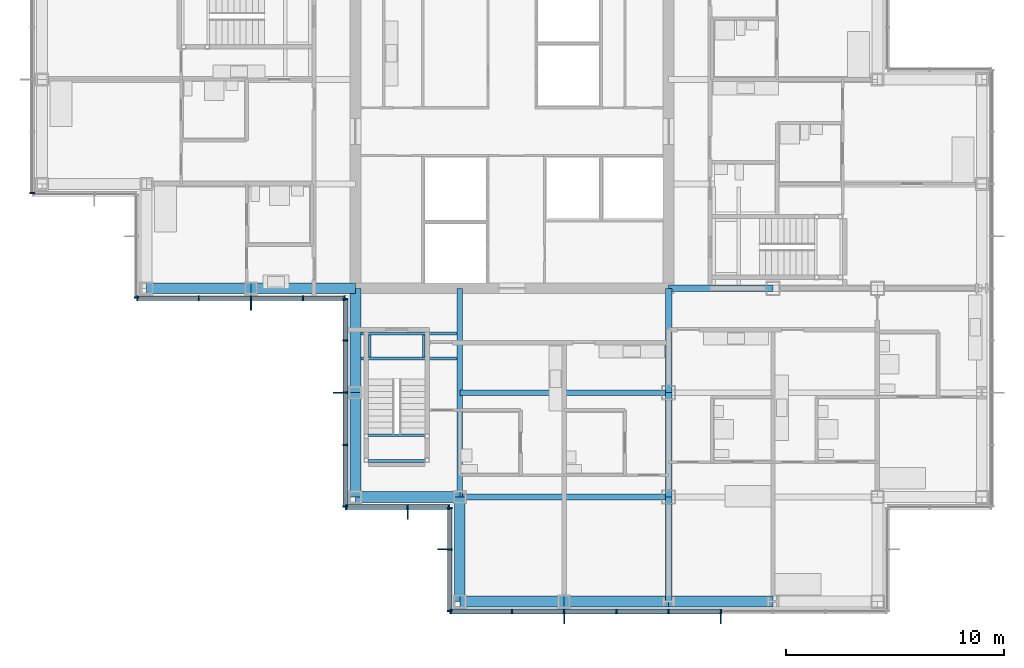
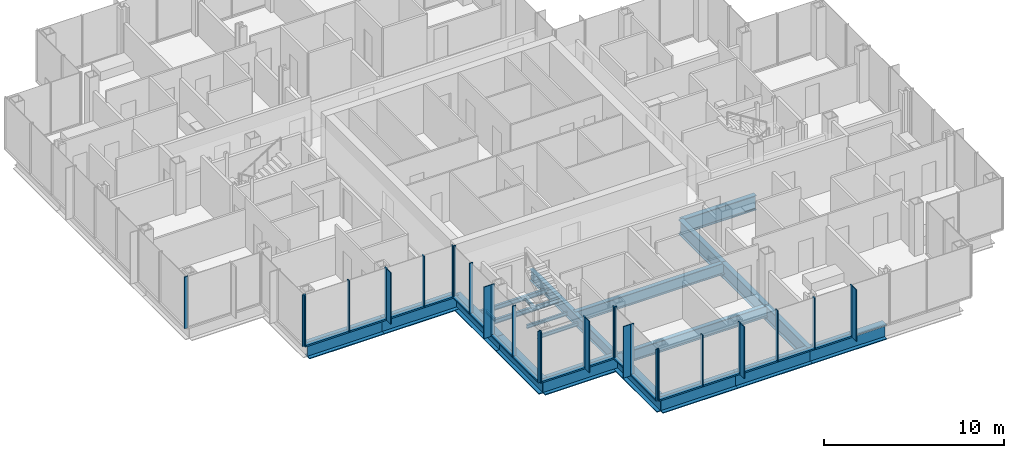
# One storey, part 6 of 19: 47 members, 22 beams, 7 elements without a shape of their own.
"""IFC4 building model written with IfcOpenShell, lengths in metres."""

from ifc_helpers import new_model, si_unit, direction, frame, origin, origin_2d, place, context, subcontext, project, spatial, rectangle, i_section, extrude, material, material_profile, profile_set, type_object, element, aggregate, save


model = new_model("IFC4")

# Units and contexts
model_context = context("Model", 3, precision=1e-05, world=origin(), true_north=direction((0.0, 1.0)))
body_context = subcontext(model_context, "Body", "Model", "MODEL_VIEW")
ifc_project = project(units=[si_unit("LENGTHUNIT", "METRE"), si_unit("AREAUNIT", "SQUARE_METRE"), si_unit("VOLUMEUNIT", "CUBIC_METRE"), si_unit("PLANEANGLEUNIT", "RADIAN"), si_unit("MASSUNIT", "GRAM", prefix="KILO")], contexts=[model_context])

# Site, building, storey
site_placement = place(None, origin())
site = spatial("IfcSite", under=ifc_project, at=site_placement, CompositionType="ELEMENT")
building_placement = place(site_placement, origin())
building = spatial("IfcBuilding", under=site, at=building_placement, Name="Kvirike Care Tower", CompositionType="ELEMENT")
storey_placement = place(building_placement, frame((0.0, 0.0, 108.5)))
storey = spatial("IfcBuildingStorey", under=building, at=storey_placement, Name="L29", CompositionType="ELEMENT", Elevation=108.5)

# Curtain wall, member
ifc_material_1 = material(Name="Anodised aluminium stick system", Category="aluminium")
curtain_wall_type = type_object("IfcCurtainWallType", Name="CW-B STICK CURTAIN WALL", PredefinedType="NOTDEFINED", material=ifc_material_1)
curtain_wall_1_placement = place(storey_placement, origin())
curtain_wall_1 = element("IfcCurtainWall", 1, at=curtain_wall_1_placement, inside=storey, type_object=curtain_wall_type, Name="Curtain wall L29 face 14", PredefinedType="NOTDEFINED")
ifc_material_2 = material(Name="Bronze anodised aluminium fin", Category="aluminium")
ifc_material_profile_1 = material_profile(ifc_material_2, rectangle(XDim=0.050048828125, YDim=0.449951171875, at=origin_2d()), Name="BRONZE FIN 450")
ifc_profile_set_1 = profile_set([ifc_material_profile_1], Name="Bronze anodised aluminium fin")
member_type_1 = type_object("IfcMemberType", Name="BRONZE FIN 450", PredefinedType="USERDEFINED", material=ifc_profile_set_1)
member_1_placement = place(storey_placement, frame((9.60009765625, 28.0048828125, 0.0), z_axis=(0.0, 0.0, 1.0), x_axis=(1.0, 0.0, 0.0)))
member_1 = element("IfcMember", 2, at=member_1_placement, type_object=member_type_1, Name="Bronze fin L29 face 14.3", ObjectType="FIN", PredefinedType="USERDEFINED", context=body_context, shape_type="SweptSolid", body=[
    extrude(rectangle(XDim=0.050048828125, YDim=0.449951171875, at=origin_2d()), origin(), (0.0, 0.0, 1.0), 3.5),
])

curtain_wall_2_placement = place(storey_placement, origin())
curtain_wall_2 = element("IfcCurtainWall", 3, at=curtain_wall_2_placement, inside=storey, type_object=curtain_wall_type, Name="Curtain wall L29 face 15", PredefinedType="NOTDEFINED")
member_2_placement = place(storey_placement, frame((13.60498046875, 24.0, 0.0), z_axis=(0.0, 0.0, 1.0), x_axis=(0.0, -1.0, 0.0)))
member_2 = element("IfcMember", 4, at=member_2_placement, type_object=member_type_1, Name="Bronze fin L29 face 15.3", ObjectType="FIN", PredefinedType="USERDEFINED", context=body_context, shape_type="SweptSolid", body=[
    extrude(rectangle(XDim=0.050048828125, YDim=0.449951171875, at=origin_2d()), origin(), (0.0, 0.0, 1.0), 3.5),
])

curtain_wall_3_placement = place(storey_placement, origin())
curtain_wall_3 = element("IfcCurtainWall", 5, at=curtain_wall_3_placement, inside=storey, type_object=curtain_wall_type, Name="Curtain wall L29 face 16", PredefinedType="NOTDEFINED")
member_3_placement = place(storey_placement, frame((16.800048828125, 18.405029296875, 0.0), z_axis=(0.0, 0.0, 1.0), x_axis=(1.0, 0.0, 0.0)))
member_3 = element("IfcMember", 6, at=member_3_placement, type_object=member_type_1, Name="Bronze fin L29 face 16.2", ObjectType="FIN", PredefinedType="USERDEFINED", context=body_context, shape_type="SweptSolid", body=[
    extrude(rectangle(XDim=0.050048828125, YDim=0.449951171875, at=origin_2d()), origin(), (0.0, 0.0, 1.0), 3.5),
])

curtain_wall_4_placement = place(storey_placement, origin())
curtain_wall_4 = element("IfcCurtainWall", 7, at=curtain_wall_4_placement, inside=storey, type_object=curtain_wall_type, Name="Curtain wall L29 face 17", PredefinedType="NOTDEFINED")
member_4_placement = place(storey_placement, frame((18.405029296875, 16.800048828125, 0.0), z_axis=(0.0, 0.0, 1.0), x_axis=(0.0, -1.0, 0.0)))
member_4 = element("IfcMember", 8, at=member_4_placement, type_object=member_type_1, Name="Bronze fin L29 face 17.2", ObjectType="FIN", PredefinedType="USERDEFINED", context=body_context, shape_type="SweptSolid", body=[
    extrude(rectangle(XDim=0.050048828125, YDim=0.449951171875, at=origin_2d()), origin(), (0.0, 0.0, 1.0), 3.5),
])

# Curtain wall, members
curtain_wall_5_placement = place(storey_placement, origin())
curtain_wall_5 = element("IfcCurtainWall", 9, at=curtain_wall_5_placement, inside=storey, type_object=curtain_wall_type, Name="Curtain wall L29 face 18", PredefinedType="NOTDEFINED")
member_5_placement = place(storey_placement, frame((24.0, 13.60498046875, 0.0), z_axis=(0.0, 0.0, 1.0), x_axis=(1.0, 0.0, 0.0)))
member_5 = element("IfcMember", 10, at=member_5_placement, type_object=member_type_1, Name="Bronze fin L29 face 18.3", ObjectType="FIN", PredefinedType="USERDEFINED", context=body_context, shape_type="SweptSolid", body=[
    extrude(rectangle(XDim=0.050048828125, YDim=0.449951171875, at=origin_2d()), origin(), (0.0, 0.0, 1.0), 3.5),
])
member_6_placement = place(storey_placement, frame((31.199951171875, 13.60498046875, 0.0), z_axis=(0.0, 0.0, 1.0), x_axis=(1.0, 0.0, 0.0)))
member_6 = element("IfcMember", 11, at=member_6_placement, type_object=member_type_1, Name="Bronze fin L29 face 18.6", ObjectType="FIN", PredefinedType="USERDEFINED", context=body_context, shape_type="SweptSolid", body=[
    extrude(rectangle(XDim=0.050048828125, YDim=0.449951171875, at=origin_2d()), origin(), (0.0, 0.0, 1.0), 3.5),
])

# Curtain wall, member
curtain_wall_6_placement = place(storey_placement, origin())
curtain_wall_6 = element("IfcCurtainWall", 12, at=curtain_wall_6_placement, inside=storey, type_object=curtain_wall_type, Name="Curtain wall L29 face 11", PredefinedType="NOTDEFINED")
ifc_material_3 = material(Name="Bronze anodised aluminium mullion", Category="aluminium")
ifc_material_profile_2 = material_profile(ifc_material_3, rectangle(XDim=0.06494140625, YDim=0.219970703125, at=origin_2d()), Name="CW-B MULLION 65x220")
ifc_profile_set_2 = profile_set([ifc_material_profile_2], Name="Bronze anodised aluminium mullion")
member_type_2 = type_object("IfcMemberType", Name="CW-B MULLION 65x220", PredefinedType="MULLION", material=ifc_profile_set_2)
member_7_placement = place(storey_placement, frame((-0.4599609375, 33.172607421875, 0.0), z_axis=(0.0, 0.0, 1.0), x_axis=(0.0, -1.0, 0.0)))
member_7 = element("IfcMember", 13, at=member_7_placement, type_object=member_type_2, Name="CW-B mullion L29 face 11.9", PredefinedType="MULLION", context=body_context, shape_type="SweptSolid", body=[
    extrude(rectangle(XDim=0.06494140625, YDim=0.219970703125, at=origin_2d()), origin(), (0.0, 0.0, 1.0), 3.5),
])
aggregate(curtain_wall_6, [member_7])

curtain_wall_7_placement = place(storey_placement, origin())
curtain_wall_7 = element("IfcCurtainWall", 14, at=curtain_wall_7_placement, inside=storey, type_object=curtain_wall_type, Name="Curtain wall L29 face 13", PredefinedType="NOTDEFINED")
member_8_placement = place(storey_placement, frame((4.340087890625, 28.37255859375, 0.0), z_axis=(0.0, 0.0, 1.0), x_axis=(0.0, -1.0, 0.0)))
member_8 = element("IfcMember", 15, at=member_8_placement, type_object=member_type_2, Name="CW-B mullion L29 face 13.3", PredefinedType="MULLION", context=body_context, shape_type="SweptSolid", body=[
    extrude(rectangle(XDim=0.06494140625, YDim=0.219970703125, at=origin_2d()), origin(), (0.0, 0.0, 1.0), 3.5),
])
aggregate(curtain_wall_7, [member_8])

# Member
member_9_placement = place(storey_placement, frame((4.37255859375, 28.340087890625, 0.0), z_axis=(0.0, 0.0, 1.0), x_axis=(1.0, 0.0, 0.0)))
member_9 = element("IfcMember", 16, at=member_9_placement, type_object=member_type_2, Name="CW-B mullion L29 face 14.1", PredefinedType="MULLION", context=body_context, shape_type="SweptSolid", body=[
    extrude(rectangle(XDim=0.06494140625, YDim=0.219970703125, at=origin_2d()), origin(), (0.0, 0.0, 1.0), 3.5),
])

member_10_placement = place(storey_placement, frame((7.199951171875, 28.340087890625, 0.0), z_axis=(0.0, 0.0, 1.0), x_axis=(1.0, 0.0, 0.0)))
member_10 = element("IfcMember", 17, at=member_10_placement, type_object=member_type_2, Name="CW-B mullion L29 face 14.2", PredefinedType="MULLION", context=body_context, shape_type="SweptSolid", body=[
    extrude(rectangle(XDim=0.06494140625, YDim=0.219970703125, at=origin_2d()), origin(), (0.0, 0.0, 1.0), 3.5),
])

member_11_placement = place(storey_placement, frame((9.60009765625, 28.340087890625, 0.0), z_axis=(0.0, 0.0, 1.0), x_axis=(1.0, 0.0, 0.0)))
member_11 = element("IfcMember", 18, at=member_11_placement, type_object=member_type_2, Name="CW-B mullion L29 face 14.3", PredefinedType="MULLION", context=body_context, shape_type="SweptSolid", body=[
    extrude(rectangle(XDim=0.06494140625, YDim=0.219970703125, at=origin_2d()), origin(), (0.0, 0.0, 1.0), 3.5),
])

member_12_placement = place(storey_placement, frame((12.0, 28.340087890625, 0.0), z_axis=(0.0, 0.0, 1.0), x_axis=(1.0, 0.0, 0.0)))
member_12 = element("IfcMember", 19, at=member_12_placement, type_object=member_type_2, Name="CW-B mullion L29 face 14.4", PredefinedType="MULLION", context=body_context, shape_type="SweptSolid", body=[
    extrude(rectangle(XDim=0.06494140625, YDim=0.219970703125, at=origin_2d()), origin(), (0.0, 0.0, 1.0), 3.5),
])

member_13_placement = place(storey_placement, frame((13.907470703125, 28.340087890625, 0.0), z_axis=(0.0, 0.0, 1.0), x_axis=(1.0, 0.0, 0.0)))
member_13 = element("IfcMember", 20, at=member_13_placement, type_object=member_type_2, Name="CW-B mullion L29 face 14.5", PredefinedType="MULLION", context=body_context, shape_type="SweptSolid", body=[
    extrude(rectangle(XDim=0.06494140625, YDim=0.219970703125, at=origin_2d()), origin(), (0.0, 0.0, 1.0), 3.5),
])

member_14_placement = place(storey_placement, frame((13.93994140625, 28.3076171875, 0.0), z_axis=(0.0, 0.0, 1.0), x_axis=(0.0, -1.0, 0.0)))
member_14 = element("IfcMember", 21, at=member_14_placement, type_object=member_type_2, Name="CW-B mullion L29 face 15.1", PredefinedType="MULLION", context=body_context, shape_type="SweptSolid", body=[
    extrude(rectangle(XDim=0.06494140625, YDim=0.219970703125, at=origin_2d()), origin(), (0.0, 0.0, 1.0), 3.5),
])

member_15_placement = place(storey_placement, frame((13.93994140625, 26.39990234375, 0.0), z_axis=(0.0, 0.0, 1.0), x_axis=(0.0, -1.0, 0.0)))
member_15 = element("IfcMember", 22, at=member_15_placement, type_object=member_type_2, Name="CW-B mullion L29 face 15.2", PredefinedType="MULLION", context=body_context, shape_type="SweptSolid", body=[
    extrude(rectangle(XDim=0.06494140625, YDim=0.219970703125, at=origin_2d()), origin(), (0.0, 0.0, 1.0), 3.5),
])

member_16_placement = place(storey_placement, frame((13.93994140625, 24.0, 0.0), z_axis=(0.0, 0.0, 1.0), x_axis=(0.0, -1.0, 0.0)))
member_16 = element("IfcMember", 23, at=member_16_placement, type_object=member_type_2, Name="CW-B mullion L29 face 15.3", PredefinedType="MULLION", context=body_context, shape_type="SweptSolid", body=[
    extrude(rectangle(XDim=0.06494140625, YDim=0.219970703125, at=origin_2d()), origin(), (0.0, 0.0, 1.0), 3.5),
])

member_17_placement = place(storey_placement, frame((13.93994140625, 21.60009765625, 0.0), z_axis=(0.0, 0.0, 1.0), x_axis=(0.0, -1.0, 0.0)))
member_17 = element("IfcMember", 24, at=member_17_placement, type_object=member_type_2, Name="CW-B mullion L29 face 15.4", PredefinedType="MULLION", context=body_context, shape_type="SweptSolid", body=[
    extrude(rectangle(XDim=0.06494140625, YDim=0.219970703125, at=origin_2d()), origin(), (0.0, 0.0, 1.0), 3.5),
])

member_18_placement = place(storey_placement, frame((13.93994140625, 18.7724609375, 0.0), z_axis=(0.0, 0.0, 1.0), x_axis=(0.0, -1.0, 0.0)))
member_18 = element("IfcMember", 25, at=member_18_placement, type_object=member_type_2, Name="CW-B mullion L29 face 15.5", PredefinedType="MULLION", context=body_context, shape_type="SweptSolid", body=[
    extrude(rectangle(XDim=0.06494140625, YDim=0.219970703125, at=origin_2d()), origin(), (0.0, 0.0, 1.0), 3.5),
])

member_19_placement = place(storey_placement, frame((13.972412109375, 18.739990234375, 0.0), z_axis=(0.0, 0.0, 1.0), x_axis=(1.0, 0.0, 0.0)))
member_19 = element("IfcMember", 26, at=member_19_placement, type_object=member_type_2, Name="CW-B mullion L29 face 16.1", PredefinedType="MULLION", context=body_context, shape_type="SweptSolid", body=[
    extrude(rectangle(XDim=0.06494140625, YDim=0.219970703125, at=origin_2d()), origin(), (0.0, 0.0, 1.0), 3.5),
])

member_20_placement = place(storey_placement, frame((16.800048828125, 18.739990234375, 0.0), z_axis=(0.0, 0.0, 1.0), x_axis=(1.0, 0.0, 0.0)))
member_20 = element("IfcMember", 27, at=member_20_placement, type_object=member_type_2, Name="CW-B mullion L29 face 16.2", PredefinedType="MULLION", context=body_context, shape_type="SweptSolid", body=[
    extrude(rectangle(XDim=0.06494140625, YDim=0.219970703125, at=origin_2d()), origin(), (0.0, 0.0, 1.0), 3.5),
])

member_21_placement = place(storey_placement, frame((18.70751953125, 18.739990234375, 0.0), z_axis=(0.0, 0.0, 1.0), x_axis=(1.0, 0.0, 0.0)))
member_21 = element("IfcMember", 28, at=member_21_placement, type_object=member_type_2, Name="CW-B mullion L29 face 16.3", PredefinedType="MULLION", context=body_context, shape_type="SweptSolid", body=[
    extrude(rectangle(XDim=0.06494140625, YDim=0.219970703125, at=origin_2d()), origin(), (0.0, 0.0, 1.0), 3.5),
])

member_22_placement = place(storey_placement, frame((18.739990234375, 18.70751953125, 0.0), z_axis=(0.0, 0.0, 1.0), x_axis=(0.0, -1.0, 0.0)))
member_22 = element("IfcMember", 29, at=member_22_placement, type_object=member_type_2, Name="CW-B mullion L29 face 17.1", PredefinedType="MULLION", context=body_context, shape_type="SweptSolid", body=[
    extrude(rectangle(XDim=0.06494140625, YDim=0.219970703125, at=origin_2d()), origin(), (0.0, 0.0, 1.0), 3.5),
])

member_23_placement = place(storey_placement, frame((18.739990234375, 16.800048828125, 0.0), z_axis=(0.0, 0.0, 1.0), x_axis=(0.0, -1.0, 0.0)))
member_23 = element("IfcMember", 30, at=member_23_placement, type_object=member_type_2, Name="CW-B mullion L29 face 17.2", PredefinedType="MULLION", context=body_context, shape_type="SweptSolid", body=[
    extrude(rectangle(XDim=0.06494140625, YDim=0.219970703125, at=origin_2d()), origin(), (0.0, 0.0, 1.0), 3.5),
])

member_24_placement = place(storey_placement, frame((18.739990234375, 13.972412109375, 0.0), z_axis=(0.0, 0.0, 1.0), x_axis=(0.0, -1.0, 0.0)))
member_24 = element("IfcMember", 31, at=member_24_placement, type_object=member_type_2, Name="CW-B mullion L29 face 17.3", PredefinedType="MULLION", context=body_context, shape_type="SweptSolid", body=[
    extrude(rectangle(XDim=0.06494140625, YDim=0.219970703125, at=origin_2d()), origin(), (0.0, 0.0, 1.0), 3.5),
])

member_25_placement = place(storey_placement, frame((18.7724609375, 13.93994140625, 0.0), z_axis=(0.0, 0.0, 1.0), x_axis=(1.0, 0.0, 0.0)))
member_25 = element("IfcMember", 32, at=member_25_placement, type_object=member_type_2, Name="CW-B mullion L29 face 18.1", PredefinedType="MULLION", context=body_context, shape_type="SweptSolid", body=[
    extrude(rectangle(XDim=0.06494140625, YDim=0.219970703125, at=origin_2d()), origin(), (0.0, 0.0, 1.0), 3.5),
])

member_26_placement = place(storey_placement, frame((21.60009765625, 13.93994140625, 0.0), z_axis=(0.0, 0.0, 1.0), x_axis=(1.0, 0.0, 0.0)))
member_26 = element("IfcMember", 33, at=member_26_placement, type_object=member_type_2, Name="CW-B mullion L29 face 18.2", PredefinedType="MULLION", context=body_context, shape_type="SweptSolid", body=[
    extrude(rectangle(XDim=0.06494140625, YDim=0.219970703125, at=origin_2d()), origin(), (0.0, 0.0, 1.0), 3.5),
])

member_27_placement = place(storey_placement, frame((24.0, 13.93994140625, 0.0), z_axis=(0.0, 0.0, 1.0), x_axis=(1.0, 0.0, 0.0)))
member_27 = element("IfcMember", 34, at=member_27_placement, type_object=member_type_2, Name="CW-B mullion L29 face 18.3", PredefinedType="MULLION", context=body_context, shape_type="SweptSolid", body=[
    extrude(rectangle(XDim=0.06494140625, YDim=0.219970703125, at=origin_2d()), origin(), (0.0, 0.0, 1.0), 3.5),
])

member_28_placement = place(storey_placement, frame((26.39990234375, 13.93994140625, 0.0), z_axis=(0.0, 0.0, 1.0), x_axis=(1.0, 0.0, 0.0)))
member_28 = element("IfcMember", 35, at=member_28_placement, type_object=member_type_2, Name="CW-B mullion L29 face 18.4", PredefinedType="MULLION", context=body_context, shape_type="SweptSolid", body=[
    extrude(rectangle(XDim=0.06494140625, YDim=0.219970703125, at=origin_2d()), origin(), (0.0, 0.0, 1.0), 3.5),
])

member_29_placement = place(storey_placement, frame((28.800048828125, 13.93994140625, 0.0), z_axis=(0.0, 0.0, 1.0), x_axis=(1.0, 0.0, 0.0)))
member_29 = element("IfcMember", 36, at=member_29_placement, type_object=member_type_2, Name="CW-B mullion L29 face 18.5", PredefinedType="MULLION", context=body_context, shape_type="SweptSolid", body=[
    extrude(rectangle(XDim=0.06494140625, YDim=0.219970703125, at=origin_2d()), origin(), (0.0, 0.0, 1.0), 3.5),
])

member_30_placement = place(storey_placement, frame((31.199951171875, 13.93994140625, 0.0), z_axis=(0.0, 0.0, 1.0), x_axis=(1.0, 0.0, 0.0)))
member_30 = element("IfcMember", 37, at=member_30_placement, type_object=member_type_2, Name="CW-B mullion L29 face 18.6", PredefinedType="MULLION", context=body_context, shape_type="SweptSolid", body=[
    extrude(rectangle(XDim=0.06494140625, YDim=0.219970703125, at=origin_2d()), origin(), (0.0, 0.0, 1.0), 3.5),
])

ifc_material_4 = material(Name="Bronze anodised aluminium transom", Category="aluminium")
ifc_material_profile_3 = material_profile(ifc_material_4, rectangle(XDim=0.219970703125, YDim=0.10009765625, at=origin_2d()), Name="CW-B TRANSOM 220x100")
ifc_profile_set_3 = profile_set([ifc_material_profile_3], Name="Bronze anodised aluminium transom")
member_type_3 = type_object("IfcMemberType", Name="CW-B TRANSOM 220x100", PredefinedType="USERDEFINED", material=ifc_profile_set_3)
member_31_placement = place(storey_placement, frame((4.405029296875, 28.340087890625, 0.050048828125), z_axis=(1.0, 0.0, 0.0), x_axis=(0.0, 1.0, 0.0)))
member_31 = element("IfcMember", 38, at=member_31_placement, type_object=member_type_3, Name="CW-B sill transom L29 face 14.1", ObjectType="TRANSOM", PredefinedType="USERDEFINED", context=body_context, shape_type="SweptSolid", body=[
    extrude(rectangle(XDim=0.219970703125, YDim=0.10009765625, at=origin_2d()), origin(), (0.0, 0.0, 1.0), 2.762451171875),
])

member_32_placement = place(storey_placement, frame((7.232421875, 28.340087890625, 0.050048828125), z_axis=(1.0, 0.0, 0.0), x_axis=(0.0, 1.0, 0.0)))
member_32 = element("IfcMember", 39, at=member_32_placement, type_object=member_type_3, Name="CW-B sill transom L29 face 14.2", ObjectType="TRANSOM", PredefinedType="USERDEFINED", context=body_context, shape_type="SweptSolid", body=[
    extrude(rectangle(XDim=0.219970703125, YDim=0.10009765625, at=origin_2d()), origin(), (0.0, 0.0, 1.0), 2.3349609375),
])

member_33_placement = place(storey_placement, frame((9.632568359375, 28.340087890625, 0.050048828125), z_axis=(1.0, 0.0, 0.0), x_axis=(0.0, 1.0, 0.0)))
member_33 = element("IfcMember", 40, at=member_33_placement, type_object=member_type_3, Name="CW-B sill transom L29 face 14.3", ObjectType="TRANSOM", PredefinedType="USERDEFINED", context=body_context, shape_type="SweptSolid", body=[
    extrude(rectangle(XDim=0.219970703125, YDim=0.10009765625, at=origin_2d()), origin(), (0.0, 0.0, 1.0), 2.3349609375),
])

member_34_placement = place(storey_placement, frame((12.032470703125, 28.340087890625, 0.050048828125), z_axis=(1.0, 0.0, 0.0), x_axis=(0.0, 1.0, 0.0)))
member_34 = element("IfcMember", 41, at=member_34_placement, type_object=member_type_3, Name="CW-B sill transom L29 face 14.4", ObjectType="TRANSOM", PredefinedType="USERDEFINED", context=body_context, shape_type="SweptSolid", body=[
    extrude(rectangle(XDim=0.219970703125, YDim=0.10009765625, at=origin_2d()), origin(), (0.0, 0.0, 1.0), 1.842529296875),
])

aggregate(curtain_wall_1, [member_9, member_10, member_11, member_1, member_12, member_13, member_31, member_32, member_33, member_34])

member_35_placement = place(storey_placement, frame((13.93994140625, 28.27490234375, 0.050048828125), z_axis=(0.0, -1.0, 0.0), x_axis=(1.0, 0.0, 0.0)))
member_35 = element("IfcMember", 42, at=member_35_placement, type_object=member_type_3, Name="CW-B sill transom L29 face 15.1", ObjectType="TRANSOM", PredefinedType="USERDEFINED", context=body_context, shape_type="SweptSolid", body=[
    extrude(rectangle(XDim=0.219970703125, YDim=0.10009765625, at=origin_2d()), origin(), (0.0, 0.0, 1.0), 1.84228515625),
])

member_36_placement = place(storey_placement, frame((13.93994140625, 26.367431640625, 0.050048828125), z_axis=(0.0, -1.0, 0.0), x_axis=(1.0, 0.0, 0.0)))
member_36 = element("IfcMember", 43, at=member_36_placement, type_object=member_type_3, Name="CW-B sill transom L29 face 15.2", ObjectType="TRANSOM", PredefinedType="USERDEFINED", context=body_context, shape_type="SweptSolid", body=[
    extrude(rectangle(XDim=0.219970703125, YDim=0.10009765625, at=origin_2d()), origin(), (0.0, 0.0, 1.0), 2.3349609375),
])

member_37_placement = place(storey_placement, frame((13.93994140625, 23.967529296875, 0.050048828125), z_axis=(0.0, -1.0, 0.0), x_axis=(1.0, 0.0, 0.0)))
member_37 = element("IfcMember", 44, at=member_37_placement, type_object=member_type_3, Name="CW-B sill transom L29 face 15.3", ObjectType="TRANSOM", PredefinedType="USERDEFINED", context=body_context, shape_type="SweptSolid", body=[
    extrude(rectangle(XDim=0.219970703125, YDim=0.10009765625, at=origin_2d()), origin(), (0.0, 0.0, 1.0), 2.3349609375),
])

member_38_placement = place(storey_placement, frame((13.93994140625, 21.5673828125, 0.050048828125), z_axis=(0.0, -1.0, 0.0), x_axis=(1.0, 0.0, 0.0)))
member_38 = element("IfcMember", 45, at=member_38_placement, type_object=member_type_3, Name="CW-B sill transom L29 face 15.4", ObjectType="TRANSOM", PredefinedType="USERDEFINED", context=body_context, shape_type="SweptSolid", body=[
    extrude(rectangle(XDim=0.219970703125, YDim=0.10009765625, at=origin_2d()), origin(), (0.0, 0.0, 1.0), 2.762451171875),
])

aggregate(curtain_wall_2, [member_14, member_15, member_16, member_2, member_17, member_18, member_35, member_36, member_37, member_38])

member_39_placement = place(storey_placement, frame((14.0048828125, 18.739990234375, 0.050048828125), z_axis=(1.0, 0.0, 0.0), x_axis=(0.0, 1.0, 0.0)))
member_39 = element("IfcMember", 46, at=member_39_placement, type_object=member_type_3, Name="CW-B sill transom L29 face 16.1", ObjectType="TRANSOM", PredefinedType="USERDEFINED", context=body_context, shape_type="SweptSolid", body=[
    extrude(rectangle(XDim=0.219970703125, YDim=0.10009765625, at=origin_2d()), origin(), (0.0, 0.0, 1.0), 2.7626953125),
])

member_40_placement = place(storey_placement, frame((16.83251953125, 18.739990234375, 0.050048828125), z_axis=(1.0, 0.0, 0.0), x_axis=(0.0, 1.0, 0.0)))
member_40 = element("IfcMember", 47, at=member_40_placement, type_object=member_type_3, Name="CW-B sill transom L29 face 16.2", ObjectType="TRANSOM", PredefinedType="USERDEFINED", context=body_context, shape_type="SweptSolid", body=[
    extrude(rectangle(XDim=0.219970703125, YDim=0.10009765625, at=origin_2d()), origin(), (0.0, 0.0, 1.0), 1.842529296875),
])

aggregate(curtain_wall_3, [member_19, member_20, member_3, member_21, member_39, member_40])

member_41_placement = place(storey_placement, frame((18.739990234375, 18.675048828125, 0.050048828125), z_axis=(0.0, -1.0, 0.0), x_axis=(1.0, 0.0, 0.0)))
member_41 = element("IfcMember", 48, at=member_41_placement, type_object=member_type_3, Name="CW-B sill transom L29 face 17.1", ObjectType="TRANSOM", PredefinedType="USERDEFINED", context=body_context, shape_type="SweptSolid", body=[
    extrude(rectangle(XDim=0.219970703125, YDim=0.10009765625, at=origin_2d()), origin(), (0.0, 0.0, 1.0), 1.842529296875),
])

member_42_placement = place(storey_placement, frame((18.739990234375, 16.767578125, 0.050048828125), z_axis=(0.0, -1.0, 0.0), x_axis=(1.0, 0.0, 0.0)))
member_42 = element("IfcMember", 49, at=member_42_placement, type_object=member_type_3, Name="CW-B sill transom L29 face 17.2", ObjectType="TRANSOM", PredefinedType="USERDEFINED", context=body_context, shape_type="SweptSolid", body=[
    extrude(rectangle(XDim=0.219970703125, YDim=0.10009765625, at=origin_2d()), origin(), (0.0, 0.0, 1.0), 2.7626953125),
])

aggregate(curtain_wall_4, [member_22, member_23, member_4, member_24, member_41, member_42])

member_43_placement = place(storey_placement, frame((18.804931640625, 13.93994140625, 0.050048828125), z_axis=(1.0, 0.0, 0.0), x_axis=(0.0, 1.0, 0.0)))
member_43 = element("IfcMember", 50, at=member_43_placement, type_object=member_type_3, Name="CW-B sill transom L29 face 18.1", ObjectType="TRANSOM", PredefinedType="USERDEFINED", context=body_context, shape_type="SweptSolid", body=[
    extrude(rectangle(XDim=0.219970703125, YDim=0.10009765625, at=origin_2d()), origin(), (0.0, 0.0, 1.0), 2.762451171875),
])

member_44_placement = place(storey_placement, frame((21.632568359375, 13.93994140625, 0.050048828125), z_axis=(1.0, 0.0, 0.0), x_axis=(0.0, 1.0, 0.0)))
member_44 = element("IfcMember", 51, at=member_44_placement, type_object=member_type_3, Name="CW-B sill transom L29 face 18.2", ObjectType="TRANSOM", PredefinedType="USERDEFINED", context=body_context, shape_type="SweptSolid", body=[
    extrude(rectangle(XDim=0.219970703125, YDim=0.10009765625, at=origin_2d()), origin(), (0.0, 0.0, 1.0), 2.3349609375),
])

member_45_placement = place(storey_placement, frame((24.032470703125, 13.93994140625, 0.050048828125), z_axis=(1.0, 0.0, 0.0), x_axis=(0.0, 1.0, 0.0)))
member_45 = element("IfcMember", 52, at=member_45_placement, type_object=member_type_3, Name="CW-B sill transom L29 face 18.3", ObjectType="TRANSOM", PredefinedType="USERDEFINED", context=body_context, shape_type="SweptSolid", body=[
    extrude(rectangle(XDim=0.219970703125, YDim=0.10009765625, at=origin_2d()), origin(), (0.0, 0.0, 1.0), 2.3349609375),
])

member_46_placement = place(storey_placement, frame((26.4326171875, 13.93994140625, 0.050048828125), z_axis=(1.0, 0.0, 0.0), x_axis=(0.0, 1.0, 0.0)))
member_46 = element("IfcMember", 53, at=member_46_placement, type_object=member_type_3, Name="CW-B sill transom L29 face 18.4", ObjectType="TRANSOM", PredefinedType="USERDEFINED", context=body_context, shape_type="SweptSolid", body=[
    extrude(rectangle(XDim=0.219970703125, YDim=0.10009765625, at=origin_2d()), origin(), (0.0, 0.0, 1.0), 2.3349609375),
])

member_47_placement = place(storey_placement, frame((28.83251953125, 13.93994140625, 0.050048828125), z_axis=(1.0, 0.0, 0.0), x_axis=(0.0, 1.0, 0.0)))
member_47 = element("IfcMember", 54, at=member_47_placement, type_object=member_type_3, Name="CW-B sill transom L29 face 18.5", ObjectType="TRANSOM", PredefinedType="USERDEFINED", context=body_context, shape_type="SweptSolid", body=[
    extrude(rectangle(XDim=0.219970703125, YDim=0.10009765625, at=origin_2d()), origin(), (0.0, 0.0, 1.0), 2.3349609375),
])

aggregate(curtain_wall_5, [member_25, member_26, member_27, member_5, member_28, member_29, member_30, member_6, member_43, member_44, member_45, member_46, member_47])

# Beams
ifc_material_5 = material(Name="Steel S355", Category="steel")
ifc_material_profile_4 = material_profile(ifc_material_5, i_section(OverallWidth=0.26806640625, OverallDepth=0.77001953125, WebThickness=0.015625, FlangeThickness=0.025390625, FilletRadius=0.01708984375, at=origin_2d()), Name="IPE 750x196")
ifc_profile_set_4 = profile_set([ifc_material_profile_4], Name="Steel S355")
beam_type_1 = type_object("IfcBeamType", Name="FLOOR BEAM IPE 750x196", PredefinedType="BEAM", material=ifc_profile_set_4)
for number, where, z_axis, x_axis, name in (
    (55, (19.199951171875, 19.199951171875, -0.554931640625), (1.0, 0.0, 0.0), (0.0, 1.0, 0.0), "Floor Beam E7-E9 L29"),
    (56, (19.199951171875, 24.0, -0.554931640625), (1.0, 0.0, 0.0), (0.0, 1.0, 0.0), "Floor Beam F7-F9 L29"),
    (57, (19.199951171875, 19.199951171875, -0.554931640625), (0.0, 1.0, 0.0), (-1.0, 0.0, 0.0), "Floor Beam E7-G7 L29"),
):
    element("IfcBeam", number, at=place(storey_placement, frame(where, z_axis=z_axis, x_axis=x_axis)), inside=storey, type_object=beam_type_1, Name=name, PredefinedType="BEAM", context=body_context, shape_type="SweptSolid", body=[
        extrude(i_section(OverallWidth=0.26806640625, OverallDepth=0.77001953125, WebThickness=0.015625, FlangeThickness=0.025390625, FilletRadius=0.01708984375, at=origin_2d()), origin(), (0.0, 0.0, 1.0), 9.60009765625),
    ])
ifc_material_6 = material(Name="Steel S355", Category="steel")
ifc_material_profile_5 = material_profile(ifc_material_6, i_section(OverallWidth=0.300048828125, OverallDepth=1.0, WebThickness=0.01904296875, FlangeThickness=0.035888671875, FilletRadius=0.030029296875, at=origin_2d()), Name="HE 1000 B")
ifc_profile_set_5 = profile_set([ifc_material_profile_5], Name="Steel S355")
beam_type_2 = type_object("IfcBeamType", Name="FRAME BEAM HE 1000 B", PredefinedType="BEAM", material=ifc_profile_set_5)
for number, where, z_axis, x_axis, name in (
    (58, (28.800048828125, 28.800048828125, -0.669921875), (1.0, 0.0, 0.0), (0.0, 1.0, 0.0), "Frame Beam G9-G10 L29"),
    (59, (28.800048828125, 14.39990234375, -0.669921875), (0.0, 1.0, 0.0), (-1.0, 0.0, 0.0), "Frame Beam D9-E9 L29"),
    (60, (28.800048828125, 19.199951171875, -0.669921875), (0.0, 1.0, 0.0), (-1.0, 0.0, 0.0), "Frame Beam E9-F9 L29"),
    (61, (28.800048828125, 24.0, -0.669921875), (0.0, 1.0, 0.0), (-1.0, 0.0, 0.0), "Frame Beam F9-G9 L29"),
):
    element("IfcBeam", number, at=place(storey_placement, frame(where, z_axis=z_axis, x_axis=x_axis)), inside=storey, type_object=beam_type_2, Name=name, PredefinedType="BEAM", context=body_context, shape_type="SweptSolid", body=[
        extrude(i_section(OverallWidth=0.300048828125, OverallDepth=1.0, WebThickness=0.01904296875, FlangeThickness=0.035888671875, FilletRadius=0.030029296875, at=origin_2d()), origin(), (0.0, 0.0, 1.0), 4.800048828125),
    ])
ifc_material_7 = material(Name="Steel S355", Category="steel")
ifc_material_profile_6 = material_profile(ifc_material_7, i_section(OverallWidth=0.5, OverallDepth=1.0, WebThickness=0.030029296875, FlangeThickness=0.06005859375, at=origin_2d()), Name="PG 1000x500x30x60")
ifc_profile_set_6 = profile_set([ifc_material_profile_6], Name="Steel S355")
beam_type_3 = type_object("IfcBeamType", Name="SPANDREL PG 1000x500x30x60", PredefinedType="SPANDREL", material=ifc_profile_set_6)
for number, where, z_axis, x_axis, name in (
    (62, (19.199951171875, 14.39990234375, -0.669921875), (1.0, 0.0, 0.0), (0.0, 1.0, 0.0), "Spandrel D7-D8 L29"),
    (63, (24.0, 14.39990234375, -0.669921875), (1.0, 0.0, 0.0), (0.0, 1.0, 0.0), "Spandrel D8-D9 L29"),
    (64, (28.800048828125, 14.39990234375, -0.669921875), (1.0, 0.0, 0.0), (0.0, 1.0, 0.0), "Spandrel D9-D10 L29"),
    (65, (14.39990234375, 19.199951171875, -0.669921875), (1.0, 0.0, 0.0), (0.0, 1.0, 0.0), "Spandrel E6-E7 L29"),
    (66, (4.800048828125, 28.800048828125, -0.669921875), (1.0, 0.0, 0.0), (0.0, 1.0, 0.0), "Spandrel G4-G5 L29"),
):
    element("IfcBeam", number, at=place(storey_placement, frame(where, z_axis=z_axis, x_axis=x_axis)), inside=storey, type_object=beam_type_3, Name=name, PredefinedType="SPANDREL", context=body_context, shape_type="SweptSolid", body=[
        extrude(i_section(OverallWidth=0.5, OverallDepth=1.0, WebThickness=0.030029296875, FlangeThickness=0.06005859375, at=origin_2d()), origin(), (0.0, 0.0, 1.0), 4.800048828125),
    ])
beam_placement = place(storey_placement, frame((9.60009765625, 28.800048828125, -0.669921875), z_axis=(1.0, 0.0, 0.0), x_axis=(0.0, 1.0, 0.0)))
element("IfcBeam", 67, at=beam_placement, inside=storey, type_object=beam_type_3, Name="Spandrel G5-G6 L29", PredefinedType="SPANDREL", context=body_context, shape_type="SweptSolid", body=[
    extrude(i_section(OverallWidth=0.5, OverallDepth=1.0, WebThickness=0.030029296875, FlangeThickness=0.06005859375, at=origin_2d()), origin(), (0.0, 0.0, 1.0), 4.7998046875),
])
for number, where, z_axis, x_axis, name in (
    (68, (14.39990234375, 19.199951171875, -0.669921875), (0.0, 1.0, 0.0), (-1.0, 0.0, 0.0), "Spandrel E6-F6 L29"),
    (69, (14.39990234375, 24.0, -0.669921875), (0.0, 1.0, 0.0), (-1.0, 0.0, 0.0), "Spandrel F6-G6 L29"),
    (70, (19.199951171875, 14.39990234375, -0.669921875), (0.0, 1.0, 0.0), (-1.0, 0.0, 0.0), "Spandrel D7-E7 L29"),
):
    element("IfcBeam", number, at=place(storey_placement, frame(where, z_axis=z_axis, x_axis=x_axis)), inside=storey, type_object=beam_type_3, Name=name, PredefinedType="SPANDREL", context=body_context, shape_type="SweptSolid", body=[
        extrude(i_section(OverallWidth=0.5, OverallDepth=1.0, WebThickness=0.030029296875, FlangeThickness=0.06005859375, at=origin_2d()), origin(), (0.0, 0.0, 1.0), 4.800048828125),
    ])
ifc_material_8 = material(Name="Steel S355", Category="steel")
ifc_material_profile_7 = material_profile(ifc_material_8, i_section(OverallWidth=0.1201171875, OverallDepth=0.239990234375, WebThickness=0.006103515625, FlangeThickness=0.009765625, FilletRadius=0.014892578125, at=origin_2d()), Name="IPE 240")
ifc_profile_set_7 = profile_set([ifc_material_profile_7], Name="Steel S355")
beam_type_4 = type_object("IfcBeamType", Name="STAIR LANDING BEAM IPE 240", PredefinedType="BEAM", material=ifc_profile_set_7)
for number, where, z_axis, x_axis, name in (
    (71, (15.0, 20.860107421875, 1.429931640625), (1.0, 0.0, 0.0), (0.0, 1.0, 0.0), "Stair 5 landing beam back L29"),
    (72, (15.0, 22.0400390625, 1.429931640625), (1.0, 0.0, 0.0), (0.0, 1.0, 0.0), "Stair 5 landing beam front L29"),
):
    element("IfcBeam", number, at=place(storey_placement, frame(where, z_axis=z_axis, x_axis=x_axis)), inside=storey, type_object=beam_type_4, Name=name, PredefinedType="BEAM", context=body_context, shape_type="SweptSolid", body=[
        extrude(i_section(OverallWidth=0.1201171875, OverallDepth=0.239990234375, WebThickness=0.006103515625, FlangeThickness=0.009765625, FilletRadius=0.014892578125, at=origin_2d()), origin(), (0.0, 0.0, 1.0), 2.60009765625),
    ])
for number, where, z_axis, x_axis, name in (
    (73, (15.06005859375, 25.64990234375, -0.320068359375), (0.0, 1.0, 0.0), (-1.0, 0.0, 0.0), "Stair 5 landing edge beam 1 L29"),
    (74, (17.5400390625, 25.64990234375, -0.320068359375), (0.0, 1.0, 0.0), (-1.0, 0.0, 0.0), "Stair 5 landing edge beam 2 L29"),
):
    element("IfcBeam", number, at=place(storey_placement, frame(where, z_axis=z_axis, x_axis=x_axis)), inside=storey, type_object=beam_type_4, Name=name, PredefinedType="BEAM", context=body_context, shape_type="SweptSolid", body=[
        extrude(i_section(OverallWidth=0.1201171875, OverallDepth=0.239990234375, WebThickness=0.006103515625, FlangeThickness=0.009765625, FilletRadius=0.014892578125, at=origin_2d()), origin(), (0.0, 0.0, 1.0), 1.0),
    ])
ifc_material_9 = material(Name="Steel S355", Category="steel")
ifc_material_profile_8 = material_profile(ifc_material_9, i_section(OverallWidth=0.14990234375, OverallDepth=0.300048828125, WebThickness=0.007080078125, FlangeThickness=0.0107421875, FilletRadius=0.014892578125, at=origin_2d()), Name="IPE 300")
ifc_profile_set_8 = profile_set([ifc_material_profile_8], Name="Steel S355")
beam_type_5 = type_object("IfcBeamType", Name="STAIR TRIMMER IPE 300", PredefinedType="BEAM", material=ifc_profile_set_8)
for number, where, z_axis, x_axis, name in (
    (75, (14.64990234375, 25.574951171875, -0.35009765625), (1.0, 0.0, 0.0), (0.0, 1.0, 0.0), "Stair 5 trimmer 1 L29"),
    (76, (14.64990234375, 26.72509765625, -0.35009765625), (1.0, 0.0, 0.0), (0.0, 1.0, 0.0), "Stair 5 trimmer 2 L29"),
):
    element("IfcBeam", number, at=place(storey_placement, frame(where, z_axis=z_axis, x_axis=x_axis)), inside=storey, type_object=beam_type_5, Name=name, PredefinedType="BEAM", context=body_context, shape_type="SweptSolid", body=[
        extrude(i_section(OverallWidth=0.14990234375, OverallDepth=0.300048828125, WebThickness=0.007080078125, FlangeThickness=0.0107421875, FilletRadius=0.014892578125, at=origin_2d()), origin(), (0.0, 0.0, 1.0), 4.416015625),
    ])

save(model, "model.ifc")
